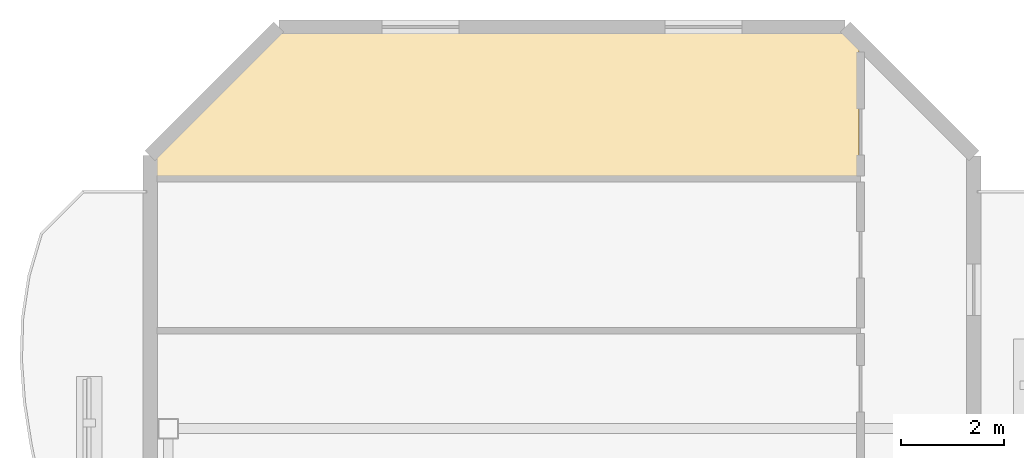
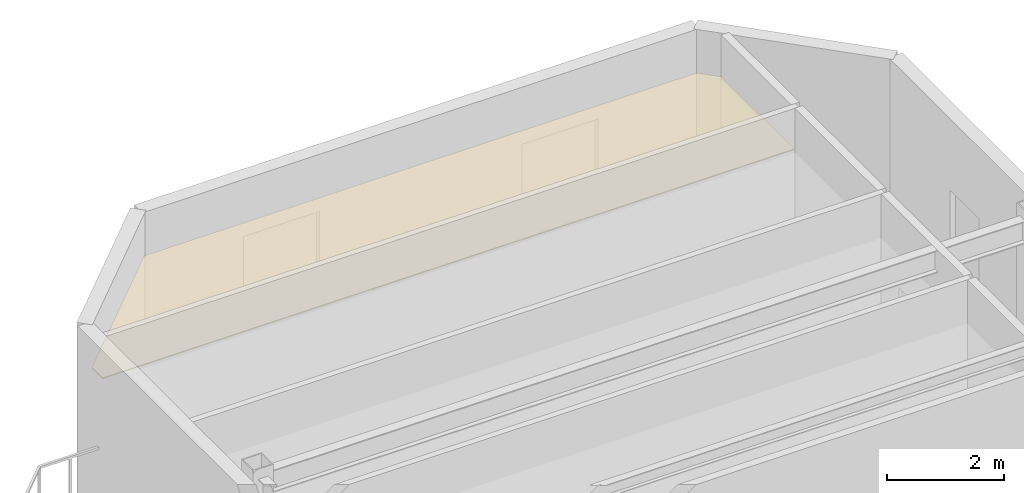
# One storey, part 8 of 8: 1 covering.
"""IFC4 building model written with IfcOpenShell, lengths in metres."""

from ifc_helpers import new_model, si_unit, direction, frame, origin, place, context, subcontext, project, spatial, polyline, outline, extrude, material, layer, layer_set, type_object, element, save


model = new_model("IFC4")

# Units and contexts
model_context = context("Model", 3, precision=1e-05, world=origin(), true_north=direction((0.0, 1.0)))
body_context = subcontext(model_context, "Body", "Model", "MODEL_VIEW")
ifc_project = project(units=[si_unit("LENGTHUNIT", "METRE"), si_unit("AREAUNIT", "SQUARE_METRE"), si_unit("VOLUMEUNIT", "CUBIC_METRE"), si_unit("PLANEANGLEUNIT", "RADIAN"), si_unit("MASSUNIT", "GRAM", prefix="KILO")], contexts=[model_context])

# Site, building, storey
site_placement = place(None, origin())
site = spatial("IfcSite", under=ifc_project, at=site_placement, CompositionType="ELEMENT")
building_placement = place(site_placement, origin())
building = spatial("IfcBuilding", under=site, at=building_placement, Name="Mawjaban Terraces University", CompositionType="ELEMENT")
storey_placement = place(building_placement, frame((0.0, 0.0, 259.89990234375)))
storey = spatial("IfcBuildingStorey", under=building, at=storey_placement, Name="L63", CompositionType="ELEMENT", Elevation=259.89990234375)

# Covering
ifc_material = material(Name="Acoustic mineral fibre ceiling tile", Category="masonry")
ifc_layer = layer(ifc_material, 0.02001953125)
ifc_layer_set = layer_set([ifc_layer], Name="Acoustic mineral fibre ceiling tile")
covering_type = type_object("IfcCoveringType", Name="AcousticMineralCeiling_20", PredefinedType="CEILING", material=ifc_layer_set)
covering_placement = place(storey_placement, frame((0.0, 0.0, 2.75)))
element("IfcCovering", 1, at=covering_placement, inside=storey, type_object=covering_type, Name="L63 Departmental Office 9 Acoustic Ceiling", PredefinedType="CEILING", context=body_context, shape_type="SweptSolid", body=[
    extrude(outline(polyline([(35.77001953125, 37.367919921875), (35.452880859375, 37.68505859375), (24.547119140625, 37.68505859375), (22.114990234375, 35.2529296875), (22.114990234375, 34.8798828125), (35.77001953125, 34.8798828125), (35.77001953125, 37.367919921875)])), origin(), (0.0, 0.0, 1.0), 0.02001953125),
])

save(model, "model.ifc")
